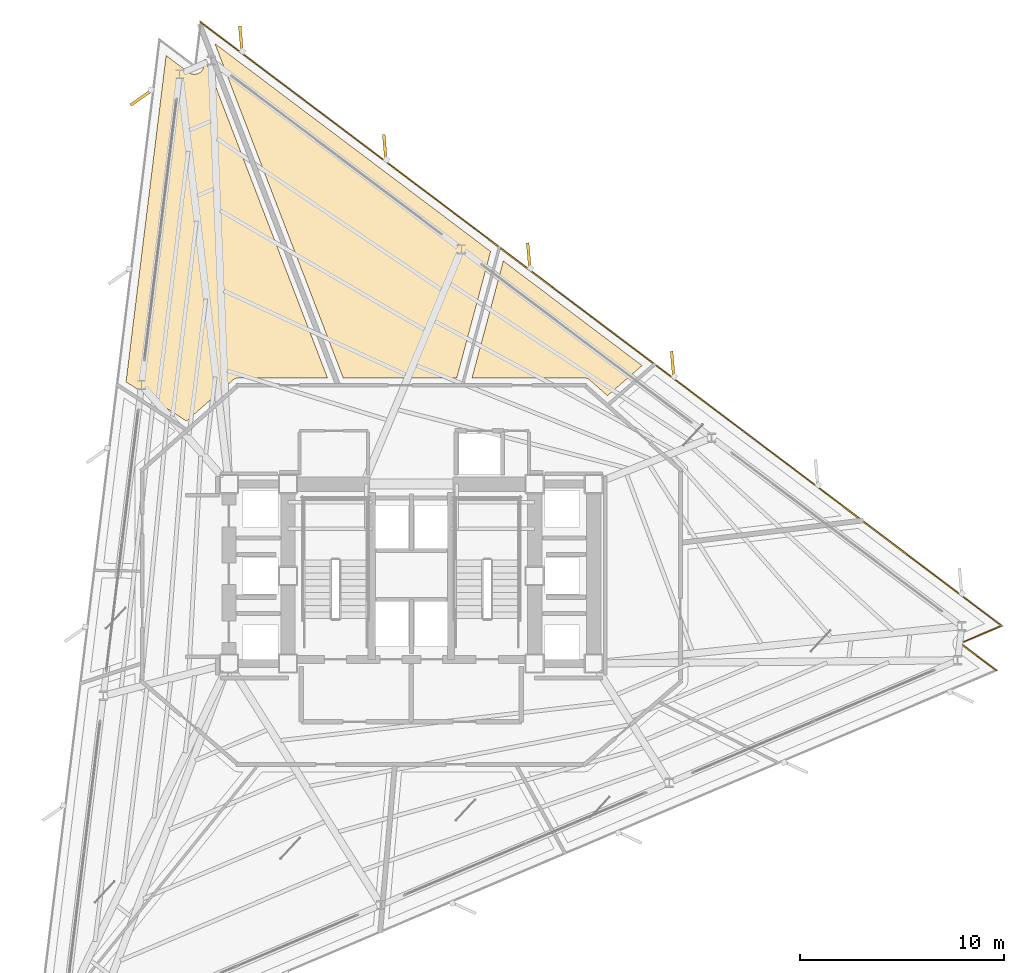
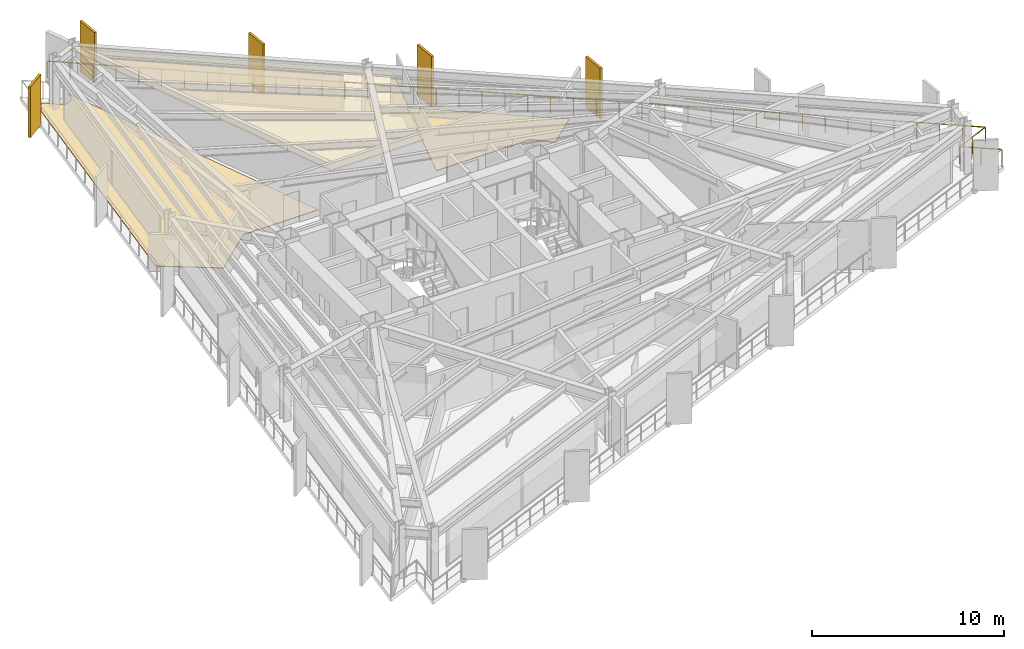
# One storey, part 13 of 13: 5 shading devices, 3 coverings, 1 railing.
"""IFC4 building model written with IfcOpenShell, lengths in metres."""

from ifc_helpers import new_model, si_unit, direction, frame, origin, origin_2d, place, context, subcontext, project, spatial, polyline, rectangle, outline, extrude, material, layer, layer_set, type_object, element, save


model = new_model("IFC4")

# Units and contexts
model_context = context("Model", 3, precision=1e-05, world=origin(), true_north=direction((0.0, 1.0)))
body_context = subcontext(model_context, "Body", "Model", "MODEL_VIEW")
ifc_project = project(units=[si_unit("LENGTHUNIT", "METRE"), si_unit("AREAUNIT", "SQUARE_METRE"), si_unit("VOLUMEUNIT", "CUBIC_METRE"), si_unit("PLANEANGLEUNIT", "RADIAN"), si_unit("MASSUNIT", "GRAM", prefix="KILO")], contexts=[model_context])

# Site, building, storey
site_placement = place(None, origin())
site = spatial("IfcSite", under=ifc_project, at=site_placement, CompositionType="ELEMENT")
building_placement = place(site_placement, origin())
building = spatial("IfcBuilding", under=site, at=building_placement, Name="Rocaltana Carrier Exchange", CompositionType="ELEMENT")
storey_placement = place(building_placement, frame((0.0, 0.0, 66.39990234375)))
storey = spatial("IfcBuildingStorey", under=building, at=storey_placement, Name="L20", CompositionType="ELEMENT", Elevation=66.39990234375)

# Coverings
ifc_material_1 = material(Name="Honed Bogota Sandstone Tile", Category="masonry")
ifc_layer_1 = layer(ifc_material_1, 0.0400390625)
ifc_layer_set_1 = layer_set([ifc_layer_1], Name="Honed Bogota Sandstone Tile")
covering_type_1 = type_object("IfcCoveringType", Name="Honed Stone Lobby Flooring 40", PredefinedType="FLOORING", material=ifc_layer_set_1)
covering_1_placement = place(storey_placement, origin())
element("IfcCovering", 1, at=covering_1_placement, inside=storey, type_object=covering_type_1, Name="L20 Quiet Focus Lounge Finish Floor", PredefinedType="FLOORING", context=body_context, shape_type="SweptSolid", body=[
    extrude(outline(polyline([(11.31884765625, 10.31640625), (9.62109375, 8.84033203125), (8.73828125, 9.619873046875), (8.727294921875, 9.629150390625), (8.720703125, 9.63427734375), (8.697265625, 9.651123046875), (8.690185546875, 9.655517578125), (8.6650390625, 9.669921875), (8.65771484375, 9.673583984375), (8.631103515625, 9.68505859375), (8.62353515625, 9.68798828125), (8.595947265625, 9.697021484375), (8.587890625, 9.698974609375), (8.5595703125, 9.704833984375), (8.551513671875, 9.706298828125), (8.522705078125, 9.709228515625), (8.514404296875, 9.709716796875), (8.5, 9.7099609375), (2.974609375, 9.7099609375), (4.511474609375, 15.44580078125), (11.31884765625, 10.31640625)])), origin(), (0.0, 0.0, 1.0), 0.0400390625),
])
covering_2_placement = place(storey_placement, origin())
element("IfcCovering", 2, at=covering_2_placement, inside=storey, type_object=covering_type_1, Name="L20 Client Reception Foyer Finish Floor", PredefinedType="FLOORING", context=body_context, shape_type="SweptSolid", body=[
    extrude(outline(polyline([(-12.02978515625, 25.52490234375), (-10.936767578125, 24.701416015625), (-10.92529296875, 24.693115234375), (-10.90869140625, 24.681884765625), (-10.885009765625, 24.66748046875), (-10.867431640625, 24.657958984375), (-10.84228515625, 24.64599609375), (-10.823974609375, 24.63818359375), (-10.797607421875, 24.628662109375), (-10.778564453125, 24.622802734375), (-10.75146484375, 24.6162109375), (-10.73193359375, 24.6123046875), (-10.704345703125, 24.608154296875), (-10.6845703125, 24.606201171875), (-10.656494140625, 24.604736328125), (-10.63671875, 24.60498046875), (-10.60888671875, 24.606201171875), (-10.5888671875, 24.6083984375), (-10.561279296875, 24.612548828125), (-10.541748046875, 24.61669921875), (-10.514892578125, 24.62353515625), (-10.49560546875, 24.62939453125), (-10.469482421875, 24.63916015625), (-10.451171875, 24.64697265625), (-10.426025390625, 24.6591796875), (-10.40869140625, 24.668701171875), (-10.384765625, 24.683349609375), (-10.368408203125, 24.694580078125), (-10.34619140625, 24.71142578125), (-10.330810546875, 24.724365234375), (-10.310546875, 24.743408203125), (-10.296630859375, 24.757568359375), (-10.2783203125, 24.778564453125), (-10.265869140625, 24.794189453125), (-10.24951171875, 24.81689453125), (-10.23876953125, 24.833740234375), (-10.224853515625, 24.85791015625), (-10.2158203125, 24.875732421875), (-10.204345703125, 24.901123046875), (-10.197265625, 24.919677734375), (-10.188232421875, 24.9462890625), (-10.18310546875, 24.96533203125), (-10.1767578125, 24.99267578125), (-10.17333984375, 25.01220703125), (-10.17138671875, 25.026123046875), (-10.1279296875, 25.379638671875), (-4.11279296875, 9.7099609375), (-8.5, 9.7099609375), (-8.514404296875, 9.709716796875), (-8.522705078125, 9.709228515625), (-8.551513671875, 9.706298828125), (-8.5595703125, 9.704833984375), (-8.587890625, 9.698974609375), (-8.595947265625, 9.697021484375), (-8.62353515625, 9.68798828125), (-8.631103515625, 9.68505859375), (-8.65771484375, 9.673583984375), (-8.6650390625, 9.669921875), (-8.690185546875, 9.655517578125), (-8.697265625, 9.651123046875), (-8.720703125, 9.63427734375), (-8.727294921875, 9.629150390625), (-8.73828125, 9.619873046875), (-11.03271484375, 7.593994140625), (-13.9951171875, 9.517822265625), (-12.02978515625, 25.52490234375)])), origin(), (0.0, 0.0, 1.0), 0.0400390625),
])
ifc_material_2 = material(Name="Anodised Aluminium 6063-T6", Category="aluminium")
ifc_layer_2 = layer(ifc_material_2, 0.0849609375)
ifc_layer_set_2 = layer_set([ifc_layer_2], Name="Anodised Aluminium 6063-T6")
covering_type_2 = type_object("IfcCoveringType", Name="Linear Baffle Acoustic Ceiling 85", PredefinedType="CEILING", material=ifc_layer_set_2)
covering_3_placement = place(storey_placement, frame((0.0, 0.0, 2.203125)))
element("IfcCovering", 3, at=covering_3_placement, inside=storey, type_object=covering_type_2, Name="L20 Carrier Peering Suite Acoustic Ceiling", PredefinedType="CEILING", context=body_context, shape_type="SweptSolid", body=[
    extrude(outline(polyline([(-9.6357421875, 26.106689453125), (3.89111328125, 15.913330078125), (2.22900390625, 9.7099609375), (-3.341796875, 9.7099609375), (-9.6357421875, 26.106689453125)])), origin(), (0.0, 0.0, 1.0), 0.0849609375),
])

# Shading devices
ifc_material_3 = material(Name="Honed Bogota Sandstone & Concrete C45/55", Category="masonry")
ifc_layer_3 = layer(ifc_material_3, 0.139892578125)
ifc_layer_set_3 = layer_set([ifc_layer_3], Name="Honed Bogota Sandstone & Concrete C45/55")
shading_device_type = type_object("IfcShadingDeviceType", Name="Vertical Sandstone Shading Fin 1320x140", PredefinedType="USERDEFINED", material=ifc_layer_set_3)
for number, where, z_axis, x_axis, name in (
    (4, (12.822509765625, 10.361083984375, -0.1201171875), (0.0, 0.0, 1.0), (-0.087155742748, 0.996194698092, 0.0), "L20 Sandstone Vertical Fin F1-03"),
    (5, (5.7626953125, 15.680908203125, -0.1201171875), (0.0, 0.0, 1.0), (-0.087155742748, 0.996194698092, 0.0), "L20 Sandstone Vertical Fin F1-04"),
    (6, (-1.29736328125, 21.001220703125, -0.1201171875), (0.0, 0.0, 1.0), (-0.087155742748, 0.996194698092, 0.0), "L20 Sandstone Vertical Fin F1-05"),
    (7, (-8.357421875, 26.321044921875, -0.1201171875), (0.0, 0.0, 1.0), (-0.087155742748, 0.996194698092, 0.0), "L20 Sandstone Vertical Fin F1-06"),
    (8, (-13.2294921875, 23.472412109375, -0.1201171875), (0.0, 0.0, 1.0), (-0.819152044289, -0.573576436351, 0.0), "L20 Sandstone Vertical Fin F2-01"),
):
    element("IfcShadingDevice", number, at=place(storey_placement, frame(where, z_axis=z_axis, x_axis=x_axis)), inside=storey, type_object=shading_device_type, Name=name, ObjectType="FIN", PredefinedType="USERDEFINED", context=body_context, shape_type="SweptSolid", body=[
        extrude(rectangle(XDim=1.320068359375, YDim=0.139892578125, at=origin_2d()), origin(), (0.0, 0.0, 1.0), 3.218017578125),
    ])

# Railing
ifc_material_4 = material(Name="Powder-Coated Aluminium 6063-T6", Category="aluminium")
ifc_layer_4 = layer(ifc_material_4, 0.06005859375)
ifc_layer_set_4 = layer_set([ifc_layer_4], Name="Powder-Coated Aluminium 6063-T6")
railing_type = type_object("IfcRailingType", Name="Wind-Floor & Terrace Perimeter Guardrail 1100", PredefinedType="GUARDRAIL", material=ifc_layer_set_4)
railing_placement = place(storey_placement, frame((-10.332763671875, 27.15771484375, 0.0)))
element("IfcRailing", 9, at=railing_placement, inside=storey, type_object=railing_type, Name="L20 Perimeter Balcony Guardrail 3", PredefinedType="GUARDRAIL", context=body_context, shape_type="SweptSolid", body=[
    extrude(rectangle(XDim=0.048095703125, YDim=0.048095703125, at=origin_2d()), frame((0.0, 0.0, 1.076171875), z_axis=(0.798636489562, -0.60181372329, 0.0), x_axis=(0.60181372329, 0.798636489562, 0.0)), (0.0, 0.0, 1.0), 49.192138671875),
    extrude(rectangle(XDim=0.048095703125, YDim=0.048095703125, at=origin_2d()), frame((39.28662109375, -29.6044921875, 1.076171875), z_axis=(-0.92050559585, -0.390729379504, 0.0), x_axis=(0.390729379504, -0.92050559585, 0.0)), (0.0, 0.0, 1.0), 2.199951171875),
    extrude(rectangle(XDim=0.048095703125, YDim=0.048095703125, at=origin_2d()), frame((37.261474609375, -30.464111328125, 1.076171875), z_axis=(0.798653030423, -0.601791772125, 0.0), x_axis=(0.601791772125, 0.798653030423, 0.0)), (0.0, 0.0, 1.0), 2.199951171875),
    extrude(rectangle(XDim=0.0419921875, YDim=0.0419921875, at=origin_2d()), origin(), (0.0, 0.0, 1.0), 1.052001953125),
    extrude(rectangle(XDim=0.0419921875, YDim=0.0419921875, at=origin_2d()), frame((0.958251953125, -0.72216796875, 0.0)), (0.0, 0.0, 1.0), 1.052001953125),
    extrude(rectangle(XDim=0.0419921875, YDim=0.0419921875, at=origin_2d()), frame((1.91650390625, -1.444091796875, 0.0)), (0.0, 0.0, 1.0), 1.052001953125),
    extrude(rectangle(XDim=0.0419921875, YDim=0.0419921875, at=origin_2d()), frame((2.87451171875, -2.166259765625, 0.0)), (0.0, 0.0, 1.0), 1.052001953125),
    extrude(rectangle(XDim=0.0419921875, YDim=0.0419921875, at=origin_2d()), frame((3.832763671875, -2.88818359375, 0.0)), (0.0, 0.0, 1.0), 1.052001953125),
    extrude(rectangle(XDim=0.0419921875, YDim=0.0419921875, at=origin_2d()), frame((4.791015625, -3.6103515625, 0.0)), (0.0, 0.0, 1.0), 1.052001953125),
    extrude(rectangle(XDim=0.0419921875, YDim=0.0419921875, at=origin_2d()), frame((5.749267578125, -4.332275390625, 0.0)), (0.0, 0.0, 1.0), 1.052001953125),
    extrude(rectangle(XDim=0.0419921875, YDim=0.0419921875, at=origin_2d()), frame((6.70751953125, -5.054443359375, 0.0)), (0.0, 0.0, 1.0), 1.052001953125),
    extrude(rectangle(XDim=0.0419921875, YDim=0.0419921875, at=origin_2d()), frame((7.665771484375, -5.7763671875, 0.0)), (0.0, 0.0, 1.0), 1.052001953125),
    extrude(rectangle(XDim=0.0419921875, YDim=0.0419921875, at=origin_2d()), frame((8.623779296875, -6.49853515625, 0.0)), (0.0, 0.0, 1.0), 1.052001953125),
    extrude(rectangle(XDim=0.0419921875, YDim=0.0419921875, at=origin_2d()), frame((9.58203125, -7.220703125, 0.0)), (0.0, 0.0, 1.0), 1.052001953125),
    extrude(rectangle(XDim=0.0419921875, YDim=0.0419921875, at=origin_2d()), frame((10.540283203125, -7.942626953125, 0.0)), (0.0, 0.0, 1.0), 1.052001953125),
    extrude(rectangle(XDim=0.0419921875, YDim=0.0419921875, at=origin_2d()), frame((11.49853515625, -8.664794921875, 0.0)), (0.0, 0.0, 1.0), 1.052001953125),
    extrude(rectangle(XDim=0.0419921875, YDim=0.0419921875, at=origin_2d()), frame((12.456787109375, -9.38671875, 0.0)), (0.0, 0.0, 1.0), 1.052001953125),
    extrude(rectangle(XDim=0.0419921875, YDim=0.0419921875, at=origin_2d()), frame((13.4150390625, -10.10888671875, 0.0)), (0.0, 0.0, 1.0), 1.052001953125),
    extrude(rectangle(XDim=0.0419921875, YDim=0.0419921875, at=origin_2d()), frame((14.373046875, -10.830810546875, 0.0)), (0.0, 0.0, 1.0), 1.052001953125),
    extrude(rectangle(XDim=0.0419921875, YDim=0.0419921875, at=origin_2d()), frame((15.331298828125, -11.552978515625, 0.0)), (0.0, 0.0, 1.0), 1.052001953125),
    extrude(rectangle(XDim=0.0419921875, YDim=0.0419921875, at=origin_2d()), frame((16.28955078125, -12.275146484375, 0.0)), (0.0, 0.0, 1.0), 1.052001953125),
    extrude(rectangle(XDim=0.0419921875, YDim=0.0419921875, at=origin_2d()), frame((17.247802734375, -12.9970703125, 0.0)), (0.0, 0.0, 1.0), 1.052001953125),
    extrude(rectangle(XDim=0.0419921875, YDim=0.0419921875, at=origin_2d()), frame((18.2060546875, -13.71923828125, 0.0)), (0.0, 0.0, 1.0), 1.052001953125),
    extrude(rectangle(XDim=0.0419921875, YDim=0.0419921875, at=origin_2d()), frame((19.164306640625, -14.441162109375, 0.0)), (0.0, 0.0, 1.0), 1.052001953125),
    extrude(rectangle(XDim=0.0419921875, YDim=0.0419921875, at=origin_2d()), frame((20.122314453125, -15.163330078125, 0.0)), (0.0, 0.0, 1.0), 1.052001953125),
    extrude(rectangle(XDim=0.0419921875, YDim=0.0419921875, at=origin_2d()), frame((21.08056640625, -15.88525390625, 0.0)), (0.0, 0.0, 1.0), 1.052001953125),
    extrude(rectangle(XDim=0.0419921875, YDim=0.0419921875, at=origin_2d()), frame((22.038818359375, -16.607421875, 0.0)), (0.0, 0.0, 1.0), 1.052001953125),
    extrude(rectangle(XDim=0.0419921875, YDim=0.0419921875, at=origin_2d()), frame((22.9970703125, -17.329345703125, 0.0)), (0.0, 0.0, 1.0), 1.052001953125),
    extrude(rectangle(XDim=0.0419921875, YDim=0.0419921875, at=origin_2d()), frame((23.955322265625, -18.051513671875, 0.0)), (0.0, 0.0, 1.0), 1.052001953125),
    extrude(rectangle(XDim=0.0419921875, YDim=0.0419921875, at=origin_2d()), frame((24.91357421875, -18.773681640625, 0.0)), (0.0, 0.0, 1.0), 1.052001953125),
    extrude(rectangle(XDim=0.0419921875, YDim=0.0419921875, at=origin_2d()), frame((25.87158203125, -19.49560546875, 0.0)), (0.0, 0.0, 1.0), 1.052001953125),
    extrude(rectangle(XDim=0.0419921875, YDim=0.0419921875, at=origin_2d()), frame((26.829833984375, -20.2177734375, 0.0)), (0.0, 0.0, 1.0), 1.052001953125),
    extrude(rectangle(XDim=0.0419921875, YDim=0.0419921875, at=origin_2d()), frame((27.7880859375, -20.939697265625, 0.0)), (0.0, 0.0, 1.0), 1.052001953125),
    extrude(rectangle(XDim=0.0419921875, YDim=0.0419921875, at=origin_2d()), frame((28.746337890625, -21.661865234375, 0.0)), (0.0, 0.0, 1.0), 1.052001953125),
    extrude(rectangle(XDim=0.0419921875, YDim=0.0419921875, at=origin_2d()), frame((29.70458984375, -22.3837890625, 0.0)), (0.0, 0.0, 1.0), 1.052001953125),
    extrude(rectangle(XDim=0.0419921875, YDim=0.0419921875, at=origin_2d()), frame((30.662841796875, -23.10595703125, 0.0)), (0.0, 0.0, 1.0), 1.052001953125),
    extrude(rectangle(XDim=0.0419921875, YDim=0.0419921875, at=origin_2d()), frame((31.620849609375, -23.828125, 0.0)), (0.0, 0.0, 1.0), 1.052001953125),
    extrude(rectangle(XDim=0.0419921875, YDim=0.0419921875, at=origin_2d()), frame((32.5791015625, -24.550048828125, 0.0)), (0.0, 0.0, 1.0), 1.052001953125),
    extrude(rectangle(XDim=0.0419921875, YDim=0.0419921875, at=origin_2d()), frame((33.537353515625, -25.272216796875, 0.0)), (0.0, 0.0, 1.0), 1.052001953125),
    extrude(rectangle(XDim=0.0419921875, YDim=0.0419921875, at=origin_2d()), frame((34.49560546875, -25.994140625, 0.0)), (0.0, 0.0, 1.0), 1.052001953125),
    extrude(rectangle(XDim=0.0419921875, YDim=0.0419921875, at=origin_2d()), frame((35.453857421875, -26.71630859375, 0.0)), (0.0, 0.0, 1.0), 1.052001953125),
    extrude(rectangle(XDim=0.0419921875, YDim=0.0419921875, at=origin_2d()), frame((36.412109375, -27.438232421875, 0.0)), (0.0, 0.0, 1.0), 1.052001953125),
    extrude(rectangle(XDim=0.0419921875, YDim=0.0419921875, at=origin_2d()), frame((37.3701171875, -28.160400390625, 0.0)), (0.0, 0.0, 1.0), 1.052001953125),
    extrude(rectangle(XDim=0.0419921875, YDim=0.0419921875, at=origin_2d()), frame((38.328369140625, -28.88232421875, 0.0)), (0.0, 0.0, 1.0), 1.052001953125),
    extrude(rectangle(XDim=0.0419921875, YDim=0.0419921875, at=origin_2d()), frame((39.28662109375, -29.6044921875, 0.0)), (0.0, 0.0, 1.0), 1.052001953125),
    extrude(rectangle(XDim=0.0419921875, YDim=0.0419921875, at=origin_2d()), frame((38.27392578125, -30.0341796875, 0.0)), (0.0, 0.0, 1.0), 1.052001953125),
    extrude(rectangle(XDim=0.0419921875, YDim=0.0419921875, at=origin_2d()), frame((37.261474609375, -30.464111328125, 0.0)), (0.0, 0.0, 1.0), 1.052001953125),
    extrude(rectangle(XDim=0.0419921875, YDim=0.0419921875, at=origin_2d()), frame((38.14013671875, -31.1259765625, 0.0)), (0.0, 0.0, 1.0), 1.052001953125),
    extrude(rectangle(XDim=0.0419921875, YDim=0.0419921875, at=origin_2d()), frame((39.0185546875, -31.7880859375, 0.0)), (0.0, 0.0, 1.0), 1.052001953125),
])

save(model, "model.ifc")
